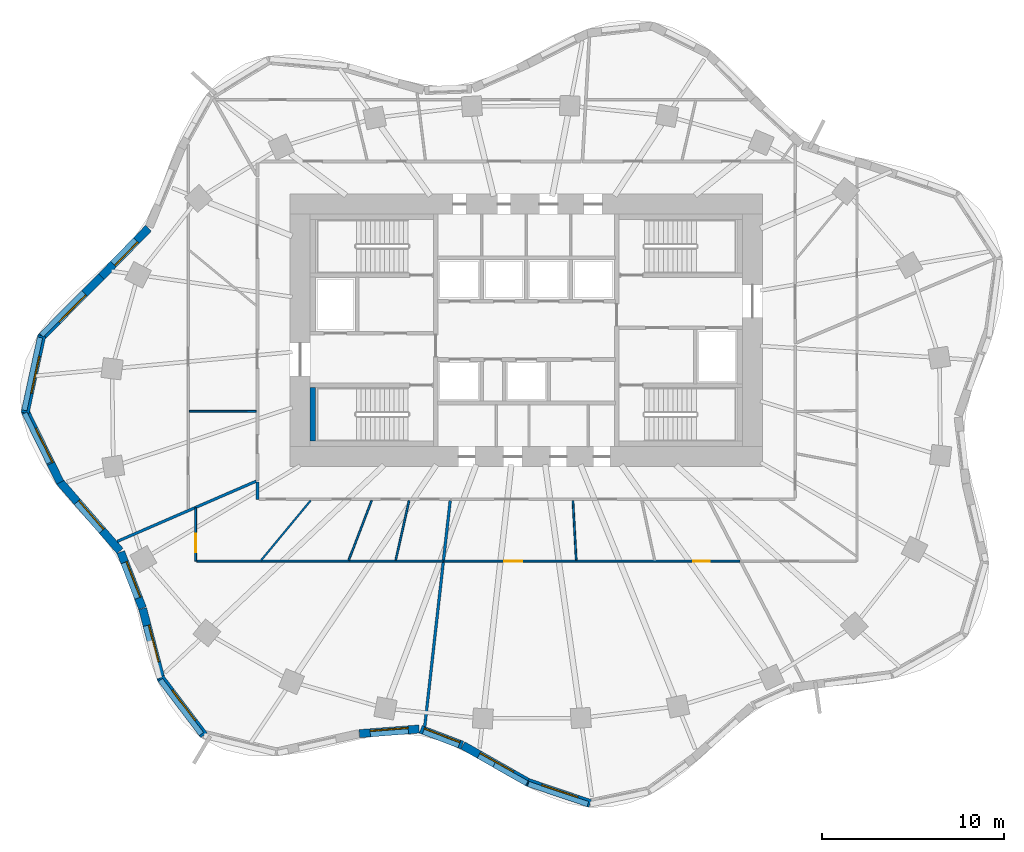
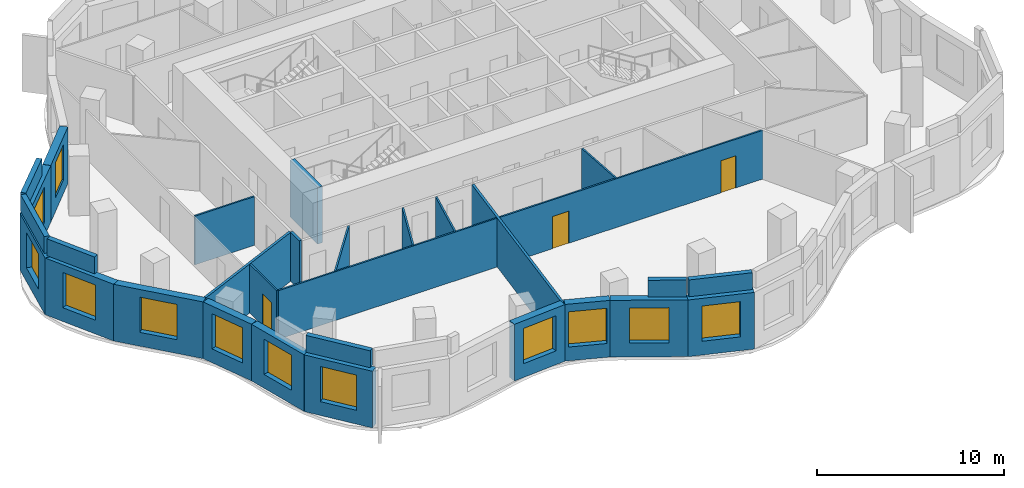
# One storey, part 3 of 9: 30 walls, 12 windows, 3 doors, 15 openings.
"""IFC4 building model written with IfcOpenShell, lengths in metres."""

from ifc_helpers import new_model, si_unit, direction, frame, frame_2d, origin, place, context, subcontext, project, spatial, rectangle, extrude, material, layer, layer_set, type_object, element, fill, save


model = new_model("IFC4")

# Units and contexts
model_context = context("Model", 3, precision=1e-05, world=origin(), true_north=direction((0.0, 1.0)))
body_context = subcontext(model_context, "Body", "Model", "MODEL_VIEW")
ifc_project = project(units=[si_unit("LENGTHUNIT", "METRE"), si_unit("AREAUNIT", "SQUARE_METRE"), si_unit("VOLUMEUNIT", "CUBIC_METRE"), si_unit("PLANEANGLEUNIT", "RADIAN"), si_unit("MASSUNIT", "GRAM", prefix="KILO")], contexts=[model_context])

# Site, building, storey
site_placement = place(None, origin())
site = spatial("IfcSite", under=ifc_project, at=site_placement, CompositionType="ELEMENT")
building_placement = place(site_placement, origin())
building = spatial("IfcBuilding", under=site, at=building_placement, Name="Rubra Terraces Tower", CompositionType="ELEMENT")
storey_placement = place(building_placement, frame((0.0, 0.0, 142.199951171875)))
storey = spatial("IfcBuildingStorey", under=building, at=storey_placement, Name="L34", CompositionType="ELEMENT", Elevation=142.199951171875)

# Wall, opening, window
ifc_material_1 = material(Name="Brick masonry red-brown", Category="masonry")
ifc_layer_1 = layer(ifc_material_1, 0.449951171875)
ifc_layer_set_1 = layer_set([ifc_layer_1], Name="Brick masonry red-brown")
wall_type_1 = type_object("IfcWallType", Name="Brick facade wall 450", PredefinedType="SOLIDWALL", material=ifc_layer_set_1)
wall_1_placement = place(storey_placement, frame((-20.795654296875, 10.1240234375, 0.0), z_axis=(0.0, 0.0, 1.0), x_axis=(-0.697121527554, -0.716952980203, 0.0)))
wall_1 = element("IfcWall", 1, at=wall_1_placement, inside=storey, type_object=wall_type_1, Name="Facade wall L34 bay 18", PredefinedType="SOLIDWALL", context=body_context, shape_type="SweptSolid", body=[
    extrude(rectangle(XDim=3.7177734375, YDim=0.449951171875, at=frame_2d((1.85888671875, 0.0))), origin(), (0.0, 0.0, 1.0), 3.699951171875),
])
opening_1_placement = place(wall_1_placement, frame((0.958984375, 0.0, 0.89990234375)))
opening_1 = element("IfcOpeningElement", 2, at=opening_1_placement, cuts=wall_1, Name="Opening W6B", PredefinedType="OPENING", context=body_context, shape_type="SweptSolid", body=[
    extrude(rectangle(XDim=1.800048828125, YDim=2.300048828125, at=frame_2d((0.89990234375, 1.14990234375))), frame((0.0, 0.23486328125, 0.0), z_axis=(0.0, -1.0, 0.0), x_axis=(1.0, 0.0, 0.0)), (0.0, 0.0, 1.0), 0.469970703125),
])
ifc_material_2 = material(Name="Clear glass in aluminium frame", Category="aluminium")
window_type_1 = type_object("IfcWindowType", Name="Fixed deep-set window at wind fin tall storey 1800 x 2300", PartitioningType="SINGLE_PANEL", PredefinedType="WINDOW", material=ifc_material_2)
window_1_placement = place(opening_1_placement, origin())
window_1 = element("IfcWindow", 3, at=window_1_placement, inside=storey, type_object=window_type_1, Name="Window L34 bay 18", OverallHeight=2.300048828125, OverallWidth=1.800048828125, PartitioningType="SINGLE_PANEL", PredefinedType="WINDOW", context=body_context, shape_type="SweptSolid", body=[
    extrude(rectangle(XDim=1.800048828125, YDim=2.300048828125, at=frame_2d((0.89990234375, 1.14990234375))), frame((0.0, 0.135009765625, 0.0), z_axis=(0.0, -1.0, 0.0), x_axis=(1.0, 0.0, 0.0)), (0.0, 0.0, 1.0), 0.06005859375),
])
fill(opening_1, window_1)

wall_2_placement = place(storey_placement, frame((-23.389892578125, 7.45556640625, 0.0), z_axis=(0.0, 0.0, 1.0), x_axis=(-0.705349231702, -0.708859973011, 0.0)))
wall_2 = element("IfcWall", 4, at=wall_2_placement, inside=storey, type_object=wall_type_1, Name="Facade wall L34 bay 19", PredefinedType="SOLIDWALL", context=body_context, shape_type="SweptSolid", body=[
    extrude(rectangle(XDim=4.728759765625, YDim=0.449951171875, at=frame_2d((2.3642578125, 0.0))), origin(), (0.0, 0.0, 1.0), 3.699951171875),
])
opening_2_placement = place(wall_2_placement, frame((1.314453125, 0.0, 0.89990234375)))
opening_2 = element("IfcOpeningElement", 5, at=opening_2_placement, cuts=wall_2, Name="Opening W1B", PredefinedType="OPENING", context=body_context, shape_type="SweptSolid", body=[
    extrude(rectangle(XDim=2.10009765625, YDim=2.300048828125, at=frame_2d((1.050048828125, 1.14990234375))), frame((0.0, 0.23486328125, 0.0), z_axis=(0.0, -1.0, 0.0), x_axis=(1.0, 0.0, 0.0)), (0.0, 0.0, 1.0), 0.469970703125),
])
window_type_2 = type_object("IfcWindowType", Name="Fixed deep-set window tall storey 2100 x 2300", PartitioningType="SINGLE_PANEL", PredefinedType="WINDOW", material=ifc_material_2)
window_2_placement = place(opening_2_placement, origin())
window_2 = element("IfcWindow", 6, at=window_2_placement, inside=storey, type_object=window_type_2, Name="Window L34 bay 19", OverallHeight=2.300048828125, OverallWidth=2.10009765625, PartitioningType="SINGLE_PANEL", PredefinedType="WINDOW", context=body_context, shape_type="SweptSolid", body=[
    extrude(rectangle(XDim=2.10009765625, YDim=2.300048828125, at=frame_2d((1.050048828125, 1.14990234375))), frame((0.0, 0.135009765625, 0.0), z_axis=(0.0, -1.0, 0.0), x_axis=(1.0, 0.0, 0.0)), (0.0, 0.0, 1.0), 0.06005859375),
])
fill(opening_2, window_2)

wall_3_placement = place(storey_placement, frame((-26.668212890625, 4.21142578125, 0.0), z_axis=(0.0, 0.0, 1.0), x_axis=(-0.210910311825, -0.977505417052, 0.0)))
wall_3 = element("IfcWall", 7, at=wall_3_placement, inside=storey, type_object=wall_type_1, Name="Facade wall L34 bay 20", PredefinedType="SOLIDWALL", context=body_context, shape_type="SweptSolid", body=[
    extrude(rectangle(XDim=4.35693359375, YDim=0.449951171875, at=frame_2d((2.178466796875, 0.0))), origin(), (0.0, 0.0, 1.0), 3.699951171875),
])
opening_3_placement = place(wall_3_placement, frame((1.12841796875, 0.0, 0.89990234375)))
opening_3 = element("IfcOpeningElement", 8, at=opening_3_placement, cuts=wall_3, Name="Opening W1B", PredefinedType="OPENING", context=body_context, shape_type="SweptSolid", body=[
    extrude(rectangle(XDim=2.10009765625, YDim=2.300048828125, at=frame_2d((1.050048828125, 1.14990234375))), frame((0.0, 0.23486328125, 0.0), z_axis=(0.0, -1.0, 0.0), x_axis=(1.0, 0.0, 0.0)), (0.0, 0.0, 1.0), 0.469970703125),
])
window_3_placement = place(opening_3_placement, origin())
window_3 = element("IfcWindow", 9, at=window_3_placement, inside=storey, type_object=window_type_2, Name="Window L34 bay 20", OverallHeight=2.300048828125, OverallWidth=2.10009765625, PartitioningType="SINGLE_PANEL", PredefinedType="WINDOW", context=body_context, shape_type="SweptSolid", body=[
    extrude(rectangle(XDim=2.10009765625, YDim=2.300048828125, at=frame_2d((1.050048828125, 1.14990234375))), frame((0.0, 0.135009765625, 0.0), z_axis=(0.0, -1.0, 0.0), x_axis=(1.0, 0.0, 0.0)), (0.0, 0.0, 1.0), 0.06005859375),
])
fill(opening_3, window_3)

wall_4_placement = place(storey_placement, frame((-27.60498046875, 0.09912109375, 0.0), z_axis=(0.0, 0.0, 1.0), x_axis=(0.440876526139, -0.897567762734, 0.0)))
wall_4 = element("IfcWall", 10, at=wall_4_placement, inside=storey, type_object=wall_type_1, Name="Facade wall L34 bay 21", PredefinedType="SOLIDWALL", context=body_context, shape_type="SweptSolid", body=[
    extrude(rectangle(XDim=4.4150390625, YDim=0.449951171875, at=frame_2d((2.20751953125, 0.0))), origin(), (0.0, 0.0, 1.0), 3.699951171875),
])
opening_4_placement = place(wall_4_placement, frame((1.15771484375, 0.0, 0.89990234375)))
opening_4 = element("IfcOpeningElement", 11, at=opening_4_placement, cuts=wall_4, Name="Opening W1B", PredefinedType="OPENING", context=body_context, shape_type="SweptSolid", body=[
    extrude(rectangle(XDim=2.10009765625, YDim=2.300048828125, at=frame_2d((1.050048828125, 1.14990234375))), frame((0.0, 0.23486328125, 0.0), z_axis=(0.0, -1.0, 0.0), x_axis=(1.0, 0.0, 0.0)), (0.0, 0.0, 1.0), 0.469970703125),
])
window_4_placement = place(opening_4_placement, origin())
window_4 = element("IfcWindow", 12, at=window_4_placement, inside=storey, type_object=window_type_2, Name="Window L34 bay 21", OverallHeight=2.300048828125, OverallWidth=2.10009765625, PartitioningType="SINGLE_PANEL", PredefinedType="WINDOW", context=body_context, shape_type="SweptSolid", body=[
    extrude(rectangle(XDim=2.10009765625, YDim=2.300048828125, at=frame_2d((1.050048828125, 1.14990234375))), frame((0.0, 0.135009765625, 0.0), z_axis=(0.0, -1.0, 0.0), x_axis=(1.0, 0.0, 0.0)), (0.0, 0.0, 1.0), 0.06005859375),
])
fill(opening_4, window_4)

wall_5_placement = place(storey_placement, frame((-25.690673828125, -3.815185546875, 0.0), z_axis=(0.0, 0.0, 1.0), x_axis=(0.656552883353, -0.754279995334, 0.0)))
wall_5 = element("IfcWall", 13, at=wall_5_placement, inside=storey, type_object=wall_type_1, Name="Facade wall L34 bay 22", PredefinedType="SOLIDWALL", context=body_context, shape_type="SweptSolid", body=[
    extrude(rectangle(XDim=5.0712890625, YDim=0.449951171875, at=frame_2d((2.53564453125, 0.0))), origin(), (0.0, 0.0, 1.0), 3.699951171875),
])
opening_5_placement = place(wall_5_placement, frame((1.485595703125, 0.0, 0.89990234375)))
opening_5 = element("IfcOpeningElement", 14, at=opening_5_placement, cuts=wall_5, Name="Opening W1B", PredefinedType="OPENING", context=body_context, shape_type="SweptSolid", body=[
    extrude(rectangle(XDim=2.10009765625, YDim=2.300048828125, at=frame_2d((1.050048828125, 1.14990234375))), frame((0.0, 0.23486328125, 0.0), z_axis=(0.0, -1.0, 0.0), x_axis=(1.0, 0.0, 0.0)), (0.0, 0.0, 1.0), 0.469970703125),
])
window_5_placement = place(opening_5_placement, origin())
window_5 = element("IfcWindow", 15, at=window_5_placement, inside=storey, type_object=window_type_2, Name="Window L34 bay 22", OverallHeight=2.300048828125, OverallWidth=2.10009765625, PartitioningType="SINGLE_PANEL", PredefinedType="WINDOW", context=body_context, shape_type="SweptSolid", body=[
    extrude(rectangle(XDim=2.10009765625, YDim=2.300048828125, at=frame_2d((1.050048828125, 1.14990234375))), frame((0.0, 0.135009765625, 0.0), z_axis=(0.0, -1.0, 0.0), x_axis=(1.0, 0.0, 0.0)), (0.0, 0.0, 1.0), 0.06005859375),
])
fill(opening_5, window_5)

wall_6_placement = place(storey_placement, frame((-22.323486328125, -7.70068359375, 0.0), z_axis=(0.0, 0.0, 1.0), x_axis=(0.361550075906, -0.932352692178, 0.0)))
wall_6 = element("IfcWall", 16, at=wall_6_placement, inside=storey, type_object=wall_type_1, Name="Facade wall L34 bay 23", PredefinedType="SOLIDWALL", context=body_context, shape_type="SweptSolid", body=[
    extrude(rectangle(XDim=3.3134765625, YDim=0.449951171875, at=frame_2d((1.65673828125, 0.0))), origin(), (0.0, 0.0, 1.0), 3.699951171875),
])
opening_6_placement = place(wall_6_placement, frame((0.606689453125, 0.0, 0.89990234375)))
opening_6 = element("IfcOpeningElement", 17, at=opening_6_placement, cuts=wall_6, Name="Opening W1B", PredefinedType="OPENING", context=body_context, shape_type="SweptSolid", body=[
    extrude(rectangle(XDim=2.10009765625, YDim=2.300048828125, at=frame_2d((1.050048828125, 1.14990234375))), frame((0.0, 0.23486328125, 0.0), z_axis=(0.0, -1.0, 0.0), x_axis=(1.0, 0.0, 0.0)), (0.0, 0.0, 1.0), 0.469970703125),
])
window_6_placement = place(opening_6_placement, origin())
window_6 = element("IfcWindow", 18, at=window_6_placement, inside=storey, type_object=window_type_2, Name="Window L34 bay 23", OverallHeight=2.300048828125, OverallWidth=2.10009765625, PartitioningType="SINGLE_PANEL", PredefinedType="WINDOW", context=body_context, shape_type="SweptSolid", body=[
    extrude(rectangle(XDim=2.10009765625, YDim=2.300048828125, at=frame_2d((1.050048828125, 1.14990234375))), frame((0.0, 0.135009765625, 0.0), z_axis=(0.0, -1.0, 0.0), x_axis=(1.0, 0.0, 0.0)), (0.0, 0.0, 1.0), 0.06005859375),
])
fill(opening_6, window_6)

wall_7_placement = place(storey_placement, frame((-21.11669921875, -10.8154296875, 0.0), z_axis=(0.0, 0.0, 1.0), x_axis=(0.253065392985, -0.967449175344, 0.0)))
wall_7 = element("IfcWall", 19, at=wall_7_placement, inside=storey, type_object=wall_type_1, Name="Facade wall L34 bay 24", PredefinedType="SOLIDWALL", context=body_context, shape_type="SweptSolid", body=[
    extrude(rectangle(XDim=4.01513671875, YDim=0.449951171875, at=frame_2d((2.007568359375, 0.0))), origin(), (0.0, 0.0, 1.0), 3.699951171875),
])
opening_7_placement = place(wall_7_placement, frame((0.95751953125, 0.0, 0.89990234375)))
opening_7 = element("IfcOpeningElement", 20, at=opening_7_placement, cuts=wall_7, Name="Opening W1B", PredefinedType="OPENING", context=body_context, shape_type="SweptSolid", body=[
    extrude(rectangle(XDim=2.10009765625, YDim=2.300048828125, at=frame_2d((1.050048828125, 1.14990234375))), frame((0.0, 0.23486328125, 0.0), z_axis=(0.0, -1.0, 0.0), x_axis=(1.0, 0.0, 0.0)), (0.0, 0.0, 1.0), 0.469970703125),
])
window_7_placement = place(opening_7_placement, origin())
window_7 = element("IfcWindow", 21, at=window_7_placement, inside=storey, type_object=window_type_2, Name="Window L34 bay 24", OverallHeight=2.300048828125, OverallWidth=2.10009765625, PartitioningType="SINGLE_PANEL", PredefinedType="WINDOW", context=body_context, shape_type="SweptSolid", body=[
    extrude(rectangle(XDim=2.10009765625, YDim=2.300048828125, at=frame_2d((1.050048828125, 1.14990234375))), frame((0.0, 0.135009765625, 0.0), z_axis=(0.0, -1.0, 0.0), x_axis=(1.0, 0.0, 0.0)), (0.0, 0.0, 1.0), 0.06005859375),
])
fill(opening_7, window_7)

wall_8_placement = place(storey_placement, frame((-20.1376953125, -14.6259765625, 0.0), z_axis=(0.0, 0.0, 1.0), x_axis=(0.604591324894, -0.796535830872, 0.0)))
wall_8 = element("IfcWall", 22, at=wall_8_placement, inside=storey, type_object=wall_type_1, Name="Facade wall L34 bay 25", PredefinedType="SOLIDWALL", context=body_context, shape_type="SweptSolid", body=[
    extrude(rectangle(XDim=3.964599609375, YDim=0.449951171875, at=frame_2d((1.982421875, 0.0))), origin(), (0.0, 0.0, 1.0), 3.699951171875),
])
opening_8_placement = place(wall_8_placement, frame((0.932373046875, 0.0, 0.89990234375)))
opening_8 = element("IfcOpeningElement", 23, at=opening_8_placement, cuts=wall_8, Name="Opening W1B", PredefinedType="OPENING", context=body_context, shape_type="SweptSolid", body=[
    extrude(rectangle(XDim=2.10009765625, YDim=2.300048828125, at=frame_2d((1.050048828125, 1.14990234375))), frame((0.0, 0.23486328125, 0.0), z_axis=(0.0, -1.0, 0.0), x_axis=(1.0, 0.0, 0.0)), (0.0, 0.0, 1.0), 0.469970703125),
])
window_8_placement = place(opening_8_placement, origin())
window_8 = element("IfcWindow", 24, at=window_8_placement, inside=storey, type_object=window_type_2, Name="Window L34 bay 25", OverallHeight=2.300048828125, OverallWidth=2.10009765625, PartitioningType="SINGLE_PANEL", PredefinedType="WINDOW", context=body_context, shape_type="SweptSolid", body=[
    extrude(rectangle(XDim=2.10009765625, YDim=2.300048828125, at=frame_2d((1.050048828125, 1.14990234375))), frame((0.0, 0.135009765625, 0.0), z_axis=(0.0, -1.0, 0.0), x_axis=(1.0, 0.0, 0.0)), (0.0, 0.0, 1.0), 0.06005859375),
])
fill(opening_8, window_8)

wall_9_placement = place(storey_placement, frame((-9.188232421875, -17.69677734375, 0.0), z_axis=(0.0, 0.0, 1.0), x_axis=(0.996964028691, 0.077863505548, 0.0)))
wall_9 = element("IfcWall", 25, at=wall_9_placement, inside=storey, type_object=wall_type_1, Name="Facade wall L34 bay 28", PredefinedType="SOLIDWALL", context=body_context, shape_type="SweptSolid", body=[
    extrude(rectangle(XDim=3.29541015625, YDim=0.449951171875, at=frame_2d((1.647705078125, 0.0))), origin(), (0.0, 0.0, 1.0), 3.699951171875),
])
opening_9_placement = place(wall_9_placement, frame((0.59765625, 0.0, 0.89990234375)))
opening_9 = element("IfcOpeningElement", 26, at=opening_9_placement, cuts=wall_9, Name="Opening W1B", PredefinedType="OPENING", context=body_context, shape_type="SweptSolid", body=[
    extrude(rectangle(XDim=2.10009765625, YDim=2.300048828125, at=frame_2d((1.050048828125, 1.14990234375))), frame((0.0, 0.23486328125, 0.0), z_axis=(0.0, -1.0, 0.0), x_axis=(1.0, 0.0, 0.0)), (0.0, 0.0, 1.0), 0.469970703125),
])
window_9_placement = place(opening_9_placement, origin())
window_9 = element("IfcWindow", 27, at=window_9_placement, inside=storey, type_object=window_type_2, Name="Window L34 bay 28", OverallHeight=2.300048828125, OverallWidth=2.10009765625, PartitioningType="SINGLE_PANEL", PredefinedType="WINDOW", context=body_context, shape_type="SweptSolid", body=[
    extrude(rectangle(XDim=2.10009765625, YDim=2.300048828125, at=frame_2d((1.050048828125, 1.14990234375))), frame((0.0, 0.135009765625, 0.0), z_axis=(0.0, -1.0, 0.0), x_axis=(1.0, 0.0, 0.0)), (0.0, 0.0, 1.0), 0.06005859375),
])
fill(opening_9, window_9)

wall_10_placement = place(storey_placement, frame((-5.810546875, -17.45458984375, 0.0), z_axis=(0.0, 0.0, 1.0), x_axis=(0.934122271306, -0.35695319336, 0.0)))
wall_10 = element("IfcWall", 28, at=wall_10_placement, inside=storey, type_object=wall_type_1, Name="Facade wall L34 bay 29", PredefinedType="SOLIDWALL", context=body_context, shape_type="SweptSolid", body=[
    extrude(rectangle(XDim=2.447998046875, YDim=0.449951171875, at=frame_2d((1.22412109375, 0.0))), origin(), (0.0, 0.0, 1.0), 3.699951171875),
])
opening_10_placement = place(wall_10_placement, frame((0.174072265625, 0.0, 0.89990234375)))
opening_10 = element("IfcOpeningElement", 29, at=opening_10_placement, cuts=wall_10, Name="Opening W1B", PredefinedType="OPENING", context=body_context, shape_type="SweptSolid", body=[
    extrude(rectangle(XDim=2.10009765625, YDim=2.300048828125, at=frame_2d((1.050048828125, 1.14990234375))), frame((0.0, 0.23486328125, 0.0), z_axis=(0.0, -1.0, 0.0), x_axis=(1.0, 0.0, 0.0)), (0.0, 0.0, 1.0), 0.469970703125),
])
window_10_placement = place(opening_10_placement, origin())
window_10 = element("IfcWindow", 30, at=window_10_placement, inside=storey, type_object=window_type_2, Name="Window L34 bay 29", OverallHeight=2.300048828125, OverallWidth=2.10009765625, PartitioningType="SINGLE_PANEL", PredefinedType="WINDOW", context=body_context, shape_type="SweptSolid", body=[
    extrude(rectangle(XDim=2.10009765625, YDim=2.300048828125, at=frame_2d((1.050048828125, 1.14990234375))), frame((0.0, 0.135009765625, 0.0), z_axis=(0.0, -1.0, 0.0), x_axis=(1.0, 0.0, 0.0)), (0.0, 0.0, 1.0), 0.06005859375),
])
fill(opening_10, window_10)

wall_11_placement = place(storey_placement, frame((-3.4931640625, -18.3427734375, 0.0), z_axis=(0.0, 0.0, 1.0), x_axis=(0.869825988853, -0.493358641473, 0.0)))
wall_11 = element("IfcWall", 31, at=wall_11_placement, inside=storey, type_object=wall_type_1, Name="Facade wall L34 bay 30", PredefinedType="SOLIDWALL", context=body_context, shape_type="SweptSolid", body=[
    extrude(rectangle(XDim=4.164794921875, YDim=0.449951171875, at=frame_2d((2.08251953125, 0.0))), origin(), (0.0, 0.0, 1.0), 3.699951171875),
])
opening_11_placement = place(wall_11_placement, frame((1.032470703125, 0.0, 0.89990234375)))
opening_11 = element("IfcOpeningElement", 32, at=opening_11_placement, cuts=wall_11, Name="Opening W1B", PredefinedType="OPENING", context=body_context, shape_type="SweptSolid", body=[
    extrude(rectangle(XDim=2.10009765625, YDim=2.300048828125, at=frame_2d((1.050048828125, 1.14990234375))), frame((0.0, 0.23486328125, 0.0), z_axis=(0.0, -1.0, 0.0), x_axis=(1.0, 0.0, 0.0)), (0.0, 0.0, 1.0), 0.469970703125),
])
window_11_placement = place(opening_11_placement, origin())
window_11 = element("IfcWindow", 33, at=window_11_placement, inside=storey, type_object=window_type_2, Name="Window L34 bay 30", OverallHeight=2.300048828125, OverallWidth=2.10009765625, PartitioningType="SINGLE_PANEL", PredefinedType="WINDOW", context=body_context, shape_type="SweptSolid", body=[
    extrude(rectangle(XDim=2.10009765625, YDim=2.300048828125, at=frame_2d((1.050048828125, 1.14990234375))), frame((0.0, 0.135009765625, 0.0), z_axis=(0.0, -1.0, 0.0), x_axis=(1.0, 0.0, 0.0)), (0.0, 0.0, 1.0), 0.06005859375),
])
fill(opening_11, window_11)

wall_12_placement = place(storey_placement, frame((0.090576171875, -20.380126953125, 0.0), z_axis=(0.0, 0.0, 1.0), x_axis=(0.947304227221, -0.320335294791, 0.0)))
wall_12 = element("IfcWall", 34, at=wall_12_placement, inside=storey, type_object=wall_type_1, Name="Facade wall L34 bay 31", PredefinedType="SOLIDWALL", context=body_context, shape_type="SweptSolid", body=[
    extrude(rectangle(XDim=3.6171875, YDim=0.449951171875, at=frame_2d((1.80859375, 0.0))), origin(), (0.0, 0.0, 1.0), 3.699951171875),
])
opening_12_placement = place(wall_12_placement, frame((0.758544921875, 0.0, 0.89990234375)))
opening_12 = element("IfcOpeningElement", 35, at=opening_12_placement, cuts=wall_12, Name="Opening W1B", PredefinedType="OPENING", context=body_context, shape_type="SweptSolid", body=[
    extrude(rectangle(XDim=2.10009765625, YDim=2.300048828125, at=frame_2d((1.050048828125, 1.14990234375))), frame((0.0, 0.23486328125, 0.0), z_axis=(0.0, -1.0, 0.0), x_axis=(1.0, 0.0, 0.0)), (0.0, 0.0, 1.0), 0.469970703125),
])
window_12_placement = place(opening_12_placement, origin())
window_12 = element("IfcWindow", 36, at=window_12_placement, inside=storey, type_object=window_type_2, Name="Window L34 bay 31", OverallHeight=2.300048828125, OverallWidth=2.10009765625, PartitioningType="SINGLE_PANEL", PredefinedType="WINDOW", context=body_context, shape_type="SweptSolid", body=[
    extrude(rectangle(XDim=2.10009765625, YDim=2.300048828125, at=frame_2d((1.050048828125, 1.14990234375))), frame((0.0, 0.135009765625, 0.0), z_axis=(0.0, -1.0, 0.0), x_axis=(1.0, 0.0, 0.0)), (0.0, 0.0, 1.0), 0.06005859375),
])
fill(opening_12, window_12)

# Walls
ifc_layer_2 = layer(ifc_material_1, 0.300048828125)
ifc_layer_set_2 = layer_set([ifc_layer_2], Name="Brick masonry red-brown")
wall_type_2 = type_object("IfcWallType", Name="Brick parapet 300", PredefinedType="PARAPET", material=ifc_layer_set_2)
wall_13_placement = place(storey_placement, frame((-24.355224609375, 6.591796875, 3.900146484375), z_axis=(0.0, 0.0, 1.0), x_axis=(-0.705340861985, -0.708868301178, 0.0)))
element("IfcWall", 37, at=wall_13_placement, inside=storey, type_object=wall_type_2, Name="Parapet L34 bay 19", PredefinedType="PARAPET", context=body_context, shape_type="SweptSolid", body=[
    extrude(rectangle(XDim=3.322265625, YDim=0.300048828125, at=frame_2d((1.6611328125, 0.0))), origin(), (0.0, 0.0, 1.0), 1.099853515625),
])
wall_14_placement = place(storey_placement, frame((-26.76611328125, 4.112060546875, 3.900146484375), z_axis=(0.0, 0.0, 1.0), x_axis=(-0.210962679137, -0.977494116612, 0.0)))
element("IfcWall", 38, at=wall_14_placement, inside=storey, type_object=wall_type_2, Name="Parapet L34 bay 20", PredefinedType="PARAPET", context=body_context, shape_type="SweptSolid", body=[
    extrude(rectangle(XDim=4.104736328125, YDim=0.300048828125, at=frame_2d((2.05224609375, 0.0))), origin(), (0.0, 0.0, 1.0), 1.099853515625),
])
wall_15_placement = place(storey_placement, frame((-27.61328125, -0.054443359375, 3.900146484375), z_axis=(0.0, 0.0, 1.0), x_axis=(0.440943372438, -0.897534925394, 0.0)))
element("IfcWall", 39, at=wall_15_placement, inside=storey, type_object=wall_type_2, Name="Parapet L34 bay 21", PredefinedType="PARAPET", context=body_context, shape_type="SweptSolid", body=[
    extrude(rectangle(XDim=3.057861328125, YDim=0.300048828125, at=frame_2d((1.52880859375, 0.0))), origin(), (0.0, 0.0, 1.0), 1.099853515625),
])
wall_16_placement = place(storey_placement, frame((-20.143310546875, -14.742919921875, 3.900146484375), z_axis=(0.0, 0.0, 1.0), x_axis=(0.60459800049, -0.796530763878, 0.0)))
element("IfcWall", 40, at=wall_16_placement, inside=storey, type_object=wall_type_2, Name="Parapet L34 bay 25", PredefinedType="PARAPET", context=body_context, shape_type="SweptSolid", body=[
    extrude(rectangle(XDim=3.738525390625, YDim=0.300048828125, at=frame_2d((1.869140625, 0.0))), origin(), (0.0, 0.0, 1.0), 1.099853515625),
])
wall_17_placement = place(storey_placement, frame((-1.773681640625, -19.40869140625, 3.900146484375), z_axis=(0.0, 0.0, 1.0), x_axis=(0.869875110904, -0.493272025792, 0.0)))
element("IfcWall", 41, at=wall_17_placement, inside=storey, type_object=wall_type_2, Name="Parapet L34 bay 30", PredefinedType="PARAPET", context=body_context, shape_type="SweptSolid", body=[
    extrude(rectangle(XDim=2.0654296875, YDim=0.300048828125, at=frame_2d((1.03271484375, 0.0))), origin(), (0.0, 0.0, 1.0), 1.099853515625),
])
wall_18_placement = place(storey_placement, frame((0.103515625, -20.463623046875, 3.900146484375), z_axis=(0.0, 0.0, 1.0), x_axis=(0.947286690835, -0.32038714919, 0.0)))
element("IfcWall", 42, at=wall_18_placement, inside=storey, type_object=wall_type_2, Name="Parapet L34 bay 31", PredefinedType="PARAPET", context=body_context, shape_type="SweptSolid", body=[
    extrude(rectangle(XDim=3.46630859375, YDim=0.300048828125, at=frame_2d((1.733154296875, 0.0))), origin(), (0.0, 0.0, 1.0), 1.099853515625),
])
ifc_material_3 = material(Name="Plasterboard on steel stud, mineral wool infill", Category="steel")
ifc_layer_3 = layer(ifc_material_3, 0.14990234375)
ifc_layer_set_3 = layer_set([ifc_layer_3], Name="Plasterboard on steel stud, mineral wool infill")
wall_type_3 = type_object("IfcWallType", Name="CORRIDOR PARTITION 150", PredefinedType="PARTITIONING", material=ifc_layer_set_3)
wall_19_placement = place(storey_placement, frame((-14.800048828125, -3.845703125, 0.0), z_axis=(0.0, 0.0, 1.0), x_axis=(0.0, -1.0, 0.0)))
element("IfcWall", 43, at=wall_19_placement, inside=storey, type_object=wall_type_3, Name="PARTITION", PredefinedType="PARTITIONING", context=body_context, shape_type="SweptSolid", body=[
    extrude(rectangle(XDim=0.954345703125, YDim=0.14990234375, at=frame_2d((0.47705078125, 0.0))), origin(), (0.0, 0.0, 1.0), 3.197998046875),
])
ifc_material_4 = material(Name="Concrete C40", Category="concrete")
ifc_layer_4 = layer(ifc_material_4, 0.300048828125)
ifc_layer_set_4 = layer_set([ifc_layer_4], Name="Concrete C40")
wall_type_4 = type_object("IfcWallType", Name="Core lining wall 300 concrete", PredefinedType="SOLIDWALL", material=ifc_layer_set_4)
wall_20_placement = place(storey_placement, frame((-11.75, -1.60009765625, 0.0), z_axis=(0.0, 0.0, 1.0), x_axis=(0.0, 1.0, 0.0)))
element("IfcWall", 44, at=wall_20_placement, inside=storey, type_object=wall_type_4, Name="CORE LINING WALL L34", PredefinedType="SOLIDWALL", context=body_context, shape_type="SweptSolid", body=[
    extrude(rectangle(XDim=2.9501953125, YDim=0.300048828125, at=frame_2d((1.47509765625, 0.0))), origin(), (0.0, 0.0, 1.0), 3.699951171875),
])
ifc_material_5 = material(Name="Plasterboard on steel stud", Category="steel")
ifc_layer_5 = layer(ifc_material_5, 0.10009765625)
ifc_layer_set_5 = layer_set([ifc_layer_5], Name="Plasterboard on steel stud")
wall_type_5 = type_object("IfcWallType", Name="ROOM PARTITION 100", PredefinedType="PARTITIONING", material=ifc_layer_set_5)
wall_21_placement = place(storey_placement, frame((-14.875, 0.043212890625, 0.0), z_axis=(0.0, 0.0, 1.0), x_axis=(-0.999999285062, 0.001195774074, 0.0)))
element("IfcWall", 45, at=wall_21_placement, inside=storey, type_object=wall_type_5, Name="PARTITION", PredefinedType="PARTITIONING", context=body_context, shape_type="SweptSolid", body=[
    extrude(rectangle(XDim=3.675048828125, YDim=0.10009765625, at=frame_2d((1.83740234375, 0.0))), origin(), (0.0, 0.0, 1.0), 3.18408203125),
])

# Wall, opening, door
wall_22_placement = place(storey_placement, frame((-18.199951171875, -8.199951171875, 0.0), z_axis=(0.0, 0.0, 1.0), x_axis=(0.0, 1.0, 0.0)))
wall_22 = element("IfcWall", 46, at=wall_22_placement, inside=storey, type_object=wall_type_5, Name="PARTITION", PredefinedType="PARTITIONING", context=body_context, shape_type="SweptSolid", body=[
    extrude(rectangle(XDim=2.93310546875, YDim=0.10009765625, at=frame_2d((1.466552734375, 0.0))), origin(), (0.0, 0.0, 1.0), 3.18408203125),
])
opening_13_placement = place(wall_22_placement, frame((0.5, 0.0, 0.0)))
opening_13 = element("IfcOpeningElement", 47, at=opening_13_placement, cuts=wall_22, Name="Opening 34-111", PredefinedType="OPENING", context=body_context, shape_type="SweptSolid", body=[
    extrude(rectangle(XDim=1.0, YDim=2.10009765625, at=frame_2d((0.5, 1.050048828125))), frame((0.0, 0.06005859375, 0.0), z_axis=(0.0, -1.0, 0.0), x_axis=(1.0, 0.0, 0.0)), (0.0, 0.0, 1.0), 0.1201171875),
])
ifc_material_6 = material(Name="Painted timber door leaf", Category="wood")
door_type_1 = type_object("IfcDoorType", Name="ROOM DOOR 1000 X 2100", OperationType="SINGLE_SWING_LEFT", PredefinedType="DOOR", material=ifc_material_6)
door_1_placement = place(opening_13_placement, origin())
door_1 = element("IfcDoor", 48, at=door_1_placement, inside=storey, type_object=door_type_1, Name="DOOR 34-111", OperationType="SINGLE_SWING_RIGHT", OverallHeight=2.10009765625, OverallWidth=1.0, PredefinedType="DOOR", context=body_context, shape_type="SweptSolid", body=[
    extrude(rectangle(XDim=1.0, YDim=2.10009765625, at=frame_2d((0.5, 1.050048828125))), frame((0.0, 0.02490234375, 0.0), z_axis=(0.0, -1.0, 0.0), x_axis=(1.0, 0.0, 0.0)), (0.0, 0.0, 1.0), 0.050048828125),
])
fill(opening_13, door_1)

# Walls
wall_23_placement = place(storey_placement, frame((-4.584228515625, -8.199951171875, 0.0), z_axis=(0.0, 0.0, 1.0), x_axis=(-1.0, 0.0, 0.0)))
element("IfcWall", 49, at=wall_23_placement, inside=storey, type_object=wall_type_5, Name="PARTITION", PredefinedType="PARTITIONING", context=body_context, shape_type="SweptSolid", body=[
    extrude(rectangle(XDim=13.565673828125, YDim=0.10009765625, at=frame_2d((6.78271484375, 0.0))), origin(), (0.0, 0.0, 1.0), 3.18408203125),
])
wall_24_placement = place(storey_placement, frame((-11.864990234375, -4.85791015625, 0.0), z_axis=(0.0, 0.0, 1.0), x_axis=(-0.638010152626, -0.770027950886, 0.0)))
element("IfcWall", 50, at=wall_24_placement, inside=storey, type_object=wall_type_5, Name="PARTITION", PredefinedType="PARTITIONING", context=body_context, shape_type="SweptSolid", body=[
    extrude(rectangle(XDim=4.290283203125, YDim=0.10009765625, at=frame_2d((2.14501953125, 0.0))), origin(), (0.0, 0.0, 1.0), 3.18408203125),
])
wall_25_placement = place(storey_placement, frame((-8.5126953125, -4.8701171875, 0.0), z_axis=(0.0, 0.0, 1.0), x_axis=(-0.359444024243, -0.933166648266, 0.0)))
element("IfcWall", 51, at=wall_25_placement, inside=storey, type_object=wall_type_5, Name="PARTITION", PredefinedType="PARTITIONING", context=body_context, shape_type="SweptSolid", body=[
    extrude(rectangle(XDim=3.518310546875, YDim=0.10009765625, at=frame_2d((1.75927734375, 0.0))), origin(), (0.0, 0.0, 1.0), 3.18408203125),
])
wall_26_placement = place(storey_placement, frame((-6.453125, -4.873291015625, 0.0), z_axis=(0.0, 0.0, 1.0), x_axis=(-0.21917670953, -0.975685179758, 0.0)))
element("IfcWall", 52, at=wall_26_placement, inside=storey, type_object=wall_type_5, Name="PARTITION", PredefinedType="PARTITIONING", context=body_context, shape_type="SweptSolid", body=[
    extrude(rectangle(XDim=3.359619140625, YDim=0.10009765625, at=frame_2d((1.6796875, 0.0))), origin(), (0.0, 0.0, 1.0), 3.18408203125),
])

# Wall, openings, doors
wall_27_placement = place(storey_placement, frame((11.760498046875, -8.199951171875, 0.0), z_axis=(0.0, 0.0, 1.0), x_axis=(-1.0, 0.0, 0.0)))
wall_27 = element("IfcWall", 53, at=wall_27_placement, inside=storey, type_object=wall_type_5, Name="PARTITION", PredefinedType="PARTITIONING", context=body_context, shape_type="SweptSolid", body=[
    extrude(rectangle(XDim=16.3046875, YDim=0.10009765625, at=frame_2d((8.15234375, 0.0))), origin(), (0.0, 0.0, 1.0), 3.18408203125),
])
opening_14_placement = place(wall_27_placement, frame((11.985107421875, 0.0, 0.0)))
opening_14 = element("IfcOpeningElement", 54, at=opening_14_placement, cuts=wall_27, Name="Opening 34-116", PredefinedType="OPENING", context=body_context, shape_type="SweptSolid", body=[
    extrude(rectangle(XDim=1.0, YDim=2.10009765625, at=frame_2d((0.5, 1.050048828125))), frame((0.0, 0.06005859375, 0.0), z_axis=(0.0, -1.0, 0.0), x_axis=(1.0, 0.0, 0.0)), (0.0, 0.0, 1.0), 0.1201171875),
])
opening_15_placement = place(wall_27_placement, frame((1.674072265625, 0.0, 0.0)))
opening_15 = element("IfcOpeningElement", 55, at=opening_15_placement, cuts=wall_27, Name="Opening 34-118", PredefinedType="OPENING", context=body_context, shape_type="SweptSolid", body=[
    extrude(rectangle(XDim=0.89990234375, YDim=2.10009765625, at=frame_2d((0.449951171875, 1.050048828125))), frame((0.0, 0.06005859375, 0.0), z_axis=(0.0, -1.0, 0.0), x_axis=(1.0, 0.0, 0.0)), (0.0, 0.0, 1.0), 0.1201171875),
])
door_2_placement = place(opening_14_placement, origin())
door_2 = element("IfcDoor", 56, at=door_2_placement, inside=storey, type_object=door_type_1, Name="DOOR 34-116", OperationType="SINGLE_SWING_LEFT", OverallHeight=2.10009765625, OverallWidth=1.0, PredefinedType="DOOR", context=body_context, shape_type="SweptSolid", body=[
    extrude(rectangle(XDim=1.0, YDim=2.10009765625, at=frame_2d((0.5, 1.050048828125))), frame((0.0, 0.02490234375, 0.0), z_axis=(0.0, -1.0, 0.0), x_axis=(1.0, 0.0, 0.0)), (0.0, 0.0, 1.0), 0.050048828125),
])
fill(opening_14, door_2)
door_type_2 = type_object("IfcDoorType", Name="ROOM DOOR 900 X 2100", OperationType="SINGLE_SWING_LEFT", PredefinedType="DOOR", material=ifc_material_6)
door_3_placement = place(opening_15_placement, origin())
door_3 = element("IfcDoor", 57, at=door_3_placement, inside=storey, type_object=door_type_2, Name="DOOR 34-118", OperationType="SINGLE_SWING_LEFT", OverallHeight=2.10009765625, OverallWidth=0.89990234375, PredefinedType="DOOR", context=body_context, shape_type="SweptSolid", body=[
    extrude(rectangle(XDim=0.89990234375, YDim=2.10009765625, at=frame_2d((0.449951171875, 1.050048828125))), frame((0.0, 0.02490234375, 0.0), z_axis=(0.0, -1.0, 0.0), x_axis=(1.0, 0.0, 0.0)), (0.0, 0.0, 1.0), 0.050048828125),
])
fill(opening_15, door_3)

# Walls
wall_28_placement = place(storey_placement, frame((2.56591796875, -4.875, 0.0), z_axis=(0.0, 0.0, 1.0), x_axis=(0.05515260166, -0.998477936927, 0.0)))
element("IfcWall", 58, at=wall_28_placement, inside=storey, type_object=wall_type_5, Name="PARTITION", PredefinedType="PARTITIONING", context=body_context, shape_type="SweptSolid", body=[
    extrude(rectangle(XDim=3.280029296875, YDim=0.10009765625, at=frame_2d((1.64013671875, 0.0))), origin(), (0.0, 0.0, 1.0), 3.18408203125),
])
ifc_layer_6 = layer(ifc_material_5, 0.14990234375)
ifc_layer_set_6 = layer_set([ifc_layer_6], Name="Plasterboard on steel stud")
wall_type_6 = type_object("IfcWallType", Name="ROOM PARTITION 150", PredefinedType="PARTITIONING", material=ifc_layer_set_6)
wall_29_placement = place(storey_placement, frame((-22.51416015625, -7.11572265625, 0.0), z_axis=(0.0, 0.0, 1.0), x_axis=(0.917457618692, 0.397833530392, 0.0)))
element("IfcWall", 59, at=wall_29_placement, inside=storey, type_object=wall_type_6, Name="PARTITION", PredefinedType="PARTITIONING", context=body_context, shape_type="SweptSolid", body=[
    extrude(rectangle(XDim=8.3330078125, YDim=0.14990234375, at=frame_2d((4.16650390625, 0.0))), origin(), (0.0, 0.0, 1.0), 3.197998046875),
])
wall_30_placement = place(storey_placement, frame((-5.589599609375, -17.2939453125, 0.0), z_axis=(0.0, 0.0, 1.0), x_axis=(0.112047950982, 0.993702800983, 0.0)))
element("IfcWall", 60, at=wall_30_placement, inside=storey, type_object=wall_type_6, Name="PARTITION", PredefinedType="PARTITIONING", context=body_context, shape_type="SweptSolid", body=[
    extrude(rectangle(XDim=12.498046875, YDim=0.14990234375, at=frame_2d((6.2490234375, 0.0))), origin(), (0.0, 0.0, 1.0), 3.197998046875),
])

save(model, "model.ifc")
